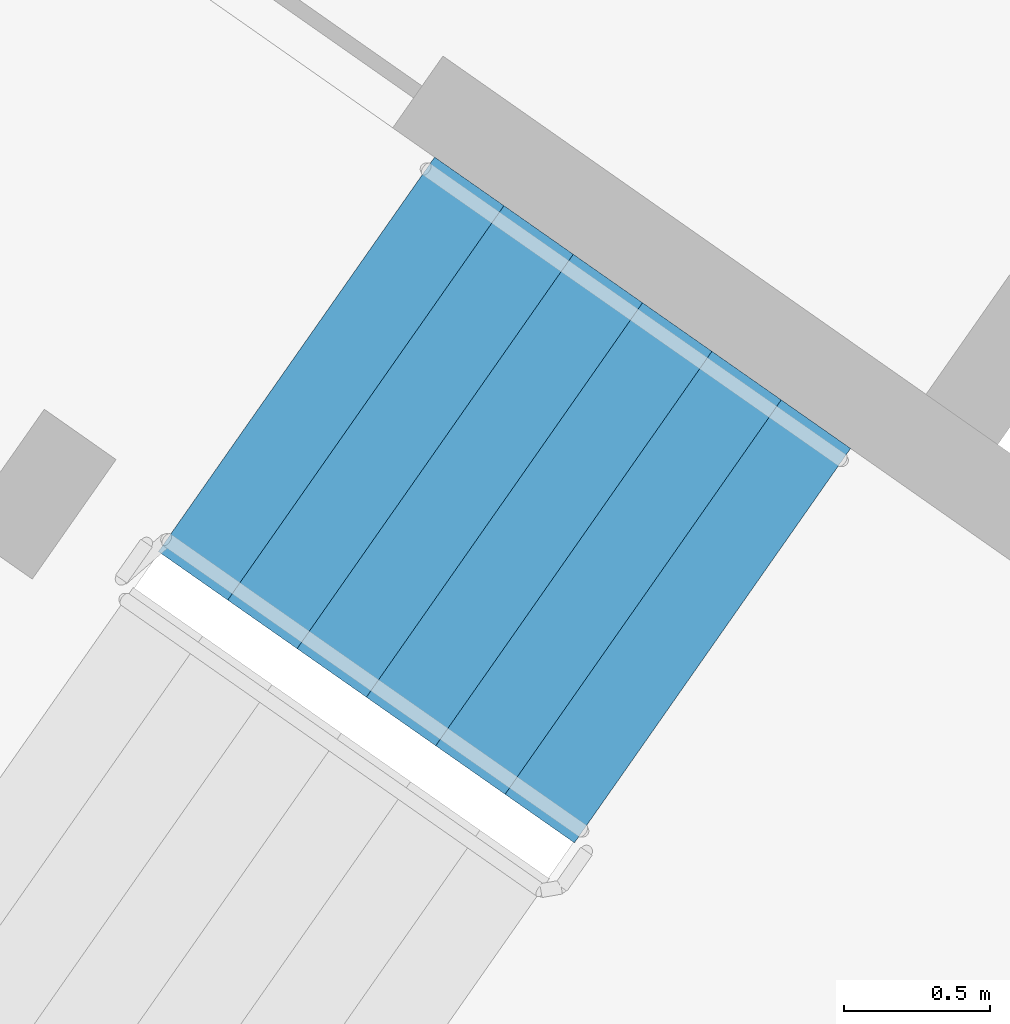
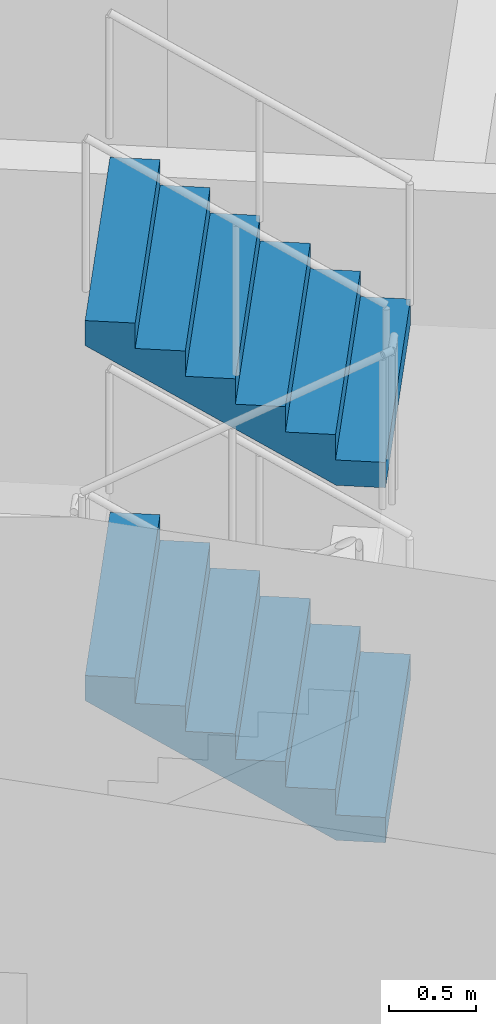
# One storey, part 14 of 25: 2 stair flights, 1 element without a shape of its own.
"""IFC4 building model written with IfcOpenShell, lengths in metres."""

import ifcopenshell
import ifcopenshell.guid

model = None  # the IFC model being written
_history = None  # IfcOwnerHistory: only IFC2X3 demands one
_inside = {}  # id of a spatial element -> (the spatial element, [elements in it])
_under = {}  # id of a project, library or spatial element -> (it, [spatial elements below it])
_declared = {}  # id of a project -> (the project, [libraries it declares])
_typed = {}  # id of a type object -> (the type object, [elements of that type])
_made_of = {}  # id of a material, layer set ... -> (it, [elements and type objects made of it])


def new_model(schema):
    """Start an empty IFC model of exactly this schema.

    Asked for "IFC4X3", IfcOpenShell would pick the latest addendum, in which some entities
    have other attributes; the version numbers below select the first issue.
    IFC2X3 requires an IfcOwnerHistory on every rooted entity: one is made here for all.
    """
    global model, _history
    if schema == "IFC4X3":
        model = ifcopenshell.file(schema_version=(4, 3, 0, 0))
    else:
        model = ifcopenshell.file(schema=schema)
    _inside.clear()
    _under.clear()
    _declared.clear()
    _typed.clear()
    _made_of.clear()
    _history = None
    if model.schema == "IFC2X3":
        org = make("IfcOrganization", Name="unknown")
        user = make(
            "IfcPersonAndOrganization",
            ThePerson=make("IfcPerson", FamilyName="unknown"),
            TheOrganization=org,
        )
        app = make(
            "IfcApplication",
            ApplicationDeveloper=org,
            Version="unknown",
            ApplicationFullName="unknown",
            ApplicationIdentifier="unknown",
        )
        _history = make(
            "IfcOwnerHistory",
            OwningUser=user,
            OwningApplication=app,
            ChangeAction="ADDED",
            CreationDate=0,
        )
    return model


def make(cls, **values):
    """One entity of the class cls with the attributes given. An attribute that is None is left unset."""
    return model.create_entity(
        cls, **{name: value for name, value in values.items() if value is not None}
    )


def rooted(cls, **values):
    """An entity with a GlobalId (a new one), such as an element, a storey or a relation."""
    return make(cls, GlobalId=ifcopenshell.guid.new(), OwnerHistory=_history, **values)


def si_unit(unit_type, name, prefix=None):
    """IfcSIUnit, for example si_unit("LENGTHUNIT", "METRE", prefix="MILLI")."""
    return make("IfcSIUnit", UnitType=unit_type, Prefix=prefix, Name=name)


def assignment(units):
    """IfcUnitAssignment: the units of a project."""
    return None if units is None else make("IfcUnitAssignment", Units=units)


def point(xyz):
    """IfcCartesianPoint."""
    return None if xyz is None else make("IfcCartesianPoint", Coordinates=xyz)


def direction(xyz):
    """IfcDirection."""
    return None if xyz is None else make("IfcDirection", DirectionRatios=xyz)


def frame(location, z_axis=None, x_axis=None):
    """IfcAxis2Placement3D, a coordinate frame: its origin and axes. An axis left out is left unset."""
    return make(
        "IfcAxis2Placement3D",
        Location=point(location),
        Axis=direction(z_axis),
        RefDirection=direction(x_axis),
    )


def origin():
    """The frame at (0, 0, 0) with its axes left unset."""
    return frame((0.0, 0.0, 0.0))


def place(relative_to, where):
    """IfcLocalPlacement: puts the frame where relative to a parent placement (None: the world)."""
    return make(
        "IfcLocalPlacement", PlacementRelTo=relative_to, RelativePlacement=where
    )


def context(
    kind, dimensions, precision=None, world=None, true_north=None, identifier=None
):
    """IfcGeometricRepresentationContext, for example the 3D "Model" context."""
    return make(
        "IfcGeometricRepresentationContext",
        ContextIdentifier=identifier,
        ContextType=kind,
        CoordinateSpaceDimension=dimensions,
        Precision=precision,
        WorldCoordinateSystem=world,
        TrueNorth=true_north,
    )


def subcontext(parent, identifier, kind, view, scale=None):
    """IfcGeometricRepresentationSubContext, for example "Body" below "Model"."""
    return make(
        "IfcGeometricRepresentationSubContext",
        ContextIdentifier=identifier,
        ContextType=kind,
        ParentContext=parent,
        TargetScale=scale,
        TargetView=view,
    )


def project(units=None, contexts=None):
    """IfcProject with its units and contexts."""
    return rooted(
        "IfcProject",
        Name="project",
        RepresentationContexts=contexts,
        UnitsInContext=assignment(units),
    )


def spatial(cls, under=None, at=None, **own):
    """A site, building, storey or space (cls), placed at a placement, below another one or the project."""
    s = rooted(cls, ObjectPlacement=at, **own)
    if under is not None:
        _under.setdefault(under.id(), (under, []))[1].append(s)
    return s


def faces_of(points, faces, orient=None, outer=None):
    """IfcFace entities. A face is a list of loops; a loop is a list of indices into points, from 0.

    orient and outer hold one flag for each loop. By default every Orientation is true, the
    first loop of a face is its IfcFaceOuterBound and the others are IfcFaceBound.
    """
    made = []
    for i, loops in enumerate(faces):
        bounds = []
        for j, loop in enumerate(loops):
            is_outer = j == 0 if outer is None else outer[i][j]
            bounds.append(
                make(
                    "IfcFaceOuterBound" if is_outer else "IfcFaceBound",
                    Bound=make("IfcPolyLoop", Polygon=[points[k] for k in loop]),
                    Orientation=True if orient is None else orient[i][j],
                )
            )
        made.append(make("IfcFace", Bounds=bounds))
    return made


def faceted_brep(points, faces, orient=None, outer=None, voids=None):
    """IfcFacetedBrep: a solid bounded by flat faces; with voids (closed shells), ...WithVoids."""
    shared = [point(p) for p in points]
    hull = make("IfcClosedShell", CfsFaces=faces_of(shared, faces, orient, outer))
    if voids is None:
        return make("IfcFacetedBrep", Outer=hull)
    return make(
        "IfcFacetedBrepWithVoids",
        Outer=hull,
        Voids=[
            make(cls, CfsFaces=faces_of(shared, fs, o, b)) for cls, fs, o, b in voids
        ],
    )


def shape(context_of_items, identifier, shape_type, items):
    """IfcShapeRepresentation: the items that make up one representation, for example the "Body"."""
    return make(
        "IfcShapeRepresentation",
        ContextOfItems=context_of_items,
        RepresentationIdentifier=identifier,
        RepresentationType=shape_type,
        Items=items,
    )


def material(Name=None, Category=None):
    """IfcMaterial."""
    return make("IfcMaterial", Name=Name, Category=Category)


def made_of(thing, what):
    """Note that an element or type object is made of a material, layer set ...; save() writes the relation."""
    if what is not None:
        _made_of.setdefault(what.id(), (what, []))[1].append(thing)
    return thing


def type_object(cls, material=None, **own):
    """A type object (cls), such as IfcWallType, which elements share."""
    return made_of(rooted(cls, **own), material)


def element(
    cls,
    number,
    at=None,
    inside=None,
    cuts=None,
    type_object=None,
    material=None,
    context=None,
    identifier="Body",
    shape_type=None,
    held_by="IfcProductDefinitionShape",
    body=None,
    shapes=None,
    **own,
):
    """One element of the class cls, such as IfcWall. Its Tag is "e" and its number.

    at: its placement. inside: the storey or other place that contains it. cuts: it is an
    opening in that element (IfcRelVoidsElement). A single representation is given by context,
    identifier, shape_type and body (its items); several are given by shapes. held_by: the class
    of the entity that holds the representations. save() writes the other relations.
    """
    e = rooted(cls, Tag="e%d" % number, ObjectPlacement=at, **own)
    if body is not None:
        shapes = [shape(context, identifier, shape_type, body)]
    if shapes is not None:
        e.Representation = make(held_by, Representations=shapes)
    if inside is not None:
        _inside.setdefault(inside.id(), (inside, []))[1].append(e)
    if cuts is not None:
        rooted(
            "IfcRelVoidsElement", RelatingBuildingElement=cuts, RelatedOpeningElement=e
        )
    if type_object is not None:
        _typed.setdefault(type_object.id(), (type_object, []))[1].append(e)
    return made_of(e, material)


def aggregate(whole, parts):
    """IfcRelAggregates: a whole, such as a stair, and the parts it consists of."""
    return rooted("IfcRelAggregates", RelatingObject=whole, RelatedObjects=parts)


def save(model, path):
    """Write the relations noted so far, then the file.

    IfcRelAggregates (storeys below a building ...), IfcRelContainedInSpatialStructure (elements
    in a storey), IfcRelDefinesByType, IfcRelAssociatesMaterial and IfcRelDeclares: one each for
    every whole, place, type object, material and project.
    """
    for whole, parts in _under.values():
        aggregate(whole, parts)
    for where, things in _inside.values():
        rooted(
            "IfcRelContainedInSpatialStructure",
            RelatedElements=things,
            RelatingStructure=where,
        )
    for kind, things in _typed.values():
        rooted("IfcRelDefinesByType", RelatedObjects=things, RelatingType=kind)
    for what, things in _made_of.values():
        rooted("IfcRelAssociatesMaterial", RelatedObjects=things, RelatingMaterial=what)
    for by, libraries in _declared.values():
        rooted("IfcRelDeclares", RelatingContext=by, RelatedDefinitions=libraries)
    model.write(path)


model = new_model("IFC4")

# Units and contexts
model_context = context("Model", 3, precision=1e-05, world=origin(), true_north=direction((0.0, 1.0)))
body_context = subcontext(model_context, "Body", "Model", "MODEL_VIEW")
ifc_project = project(units=[si_unit("LENGTHUNIT", "METRE"), si_unit("AREAUNIT", "SQUARE_METRE"), si_unit("VOLUMEUNIT", "CUBIC_METRE"), si_unit("PLANEANGLEUNIT", "RADIAN"), si_unit("MASSUNIT", "GRAM", prefix="KILO")], contexts=[model_context])

# Site, building, storey
site_placement = place(None, origin())
site = spatial("IfcSite", under=ifc_project, at=site_placement, CompositionType="ELEMENT")
building_placement = place(site_placement, origin())
building = spatial("IfcBuilding", under=site, at=building_placement, Name="Qamariyya Broadcast Tower", CompositionType="ELEMENT")
storey_placement = place(building_placement, frame((0.0, 0.0, 89.89990234375)))
storey = spatial("IfcBuildingStorey", under=building, at=storey_placement, Name="L19", CompositionType="ELEMENT", Elevation=89.89990234375)

# Stair, stair flights
ifc_material = material(Name="Concrete C50/60", Category="concrete")
stair_type = type_object("IfcStairType", Name="Exit stair 28 risers of 179 mm", PredefinedType="HALF_TURN_STAIR", material=ifc_material)
stair_placement = place(storey_placement, origin())
stair = element("IfcStair", 1, at=stair_placement, inside=storey, type_object=stair_type, Name="L19 Stair W1", PredefinedType="HALF_TURN_STAIR")
stair_flight_type = type_object("IfcStairFlightType", Name="Exit stair flight 7 risers of 179 mm", PredefinedType="STRAIGHT", material=ifc_material)
stair_flight_1_placement = place(storey_placement, frame((-44.611083984375, -56.506103515625, 1.25), z_axis=(0.0, 0.0, 1.0), x_axis=(-0.819152044289, 0.573576436351, 0.0)))
stair_flight_1 = element("IfcStairFlight", 2, at=stair_flight_1_placement, type_object=stair_flight_type, Name="ST-W1 flight 2", NumberOfRisers=7, NumberOfTreads=6, PredefinedType="STRAIGHT", RiserHeight=0.178571429, TreadLength=0.29, context=body_context, shape_type="Brep", body=[
    faceted_brep([(0.0, 0.824951171875, 0.0), (0.0, 0.824951171875, 0.178466796875), (0.2900390625, 0.824951171875, 0.178466796875), (0.2900390625, 0.824951171875, 0.357177734375), (0.580078125, 0.824951171875, 0.357177734375), (0.580078125, 0.824951171875, 0.53564453125), (0.8701171875, 0.824951171875, 0.53564453125), (0.8701171875, 0.824951171875, 0.71435546875), (1.159912109375, 0.824951171875, 0.71435546875), (1.159912109375, 0.824951171875, 0.892822265625), (1.449951171875, 0.824951171875, 0.892822265625), (1.449951171875, 0.824951171875, 1.071533203125), (1.739990234375, 0.824951171875, 1.071533203125), (1.739990234375, 0.824951171875, 0.8955078125), (0.285888671875, 0.824951171875, 0.0), (0.285888671875, -0.824951171875, 0.0), (1.739990234375, -0.824951171875, 0.8955078125), (1.739990234375, -0.824951171875, 1.071533203125), (1.449951171875, -0.824951171875, 1.071533203125), (1.449951171875, -0.824951171875, 0.892822265625), (1.159912109375, -0.824951171875, 0.892822265625), (1.159912109375, -0.824951171875, 0.71435546875), (0.8701171875, -0.824951171875, 0.71435546875), (0.8701171875, -0.824951171875, 0.53564453125), (0.580078125, -0.824951171875, 0.53564453125), (0.580078125, -0.824951171875, 0.357177734375), (0.2900390625, -0.824951171875, 0.357177734375), (0.2900390625, -0.824951171875, 0.178466796875), (0.0, -0.824951171875, 0.178466796875), (0.0, -0.824951171875, 0.0), (0.0, 0.10009765625, 0.0), (0.0, 0.086669921875, 0.0), (0.0, 0.0732421875, 0.0), (0.0, 0.06005859375, 0.0), (0.0, 0.046630859375, 0.0), (0.0, 0.033447265625, 0.0), (0.0, 0.02001953125, 0.0), (0.0, 0.006591796875, 0.0), (0.0, -0.006591796875, 0.0), (0.0, -0.02001953125, 0.0), (0.0, -0.033447265625, 0.0), (0.0, -0.046630859375, 0.0), (0.0, -0.06005859375, 0.0), (0.0, -0.0732421875, 0.0), (0.0, -0.086669921875, 0.0), (0.0, -0.10009765625, 0.0), (0.0, -0.10009765625, 0.178466796875), (0.0, -0.086669921875, 0.178466796875), (0.0, -0.0732421875, 0.178466796875), (0.0, -0.06005859375, 0.178466796875), (0.0, -0.046630859375, 0.178466796875), (0.0, -0.033447265625, 0.178466796875), (0.0, -0.02001953125, 0.178466796875), (0.0, -0.006591796875, 0.178466796875), (0.0, 0.006591796875, 0.178466796875), (0.0, 0.02001953125, 0.178466796875), (0.0, 0.033447265625, 0.178466796875), (0.0, 0.046630859375, 0.178466796875), (0.0, 0.06005859375, 0.178466796875), (0.0, 0.0732421875, 0.178466796875), (0.0, 0.086669921875, 0.178466796875), (0.0, 0.10009765625, 0.178466796875), (0.2900390625, -0.10009765625, 0.178466796875), (0.2900390625, -0.086669921875, 0.178466796875), (0.2900390625, -0.0732421875, 0.178466796875), (0.2900390625, -0.06005859375, 0.178466796875), (0.2900390625, -0.046630859375, 0.178466796875), (0.2900390625, -0.033447265625, 0.178466796875), (0.2900390625, -0.02001953125, 0.178466796875), (0.2900390625, -0.006591796875, 0.178466796875), (0.2900390625, 0.006591796875, 0.178466796875), (0.2900390625, 0.02001953125, 0.178466796875), (0.2900390625, 0.033447265625, 0.178466796875), (0.2900390625, 0.046630859375, 0.178466796875), (0.2900390625, 0.06005859375, 0.178466796875), (0.2900390625, 0.0732421875, 0.178466796875), (0.2900390625, 0.086669921875, 0.178466796875), (0.2900390625, 0.10009765625, 0.178466796875), (0.2900390625, -0.10009765625, 0.357177734375), (0.2900390625, -0.086669921875, 0.357177734375), (0.2900390625, -0.0732421875, 0.357177734375), (0.2900390625, -0.06005859375, 0.357177734375), (0.2900390625, -0.046630859375, 0.357177734375), (0.2900390625, -0.033447265625, 0.357177734375), (0.2900390625, -0.02001953125, 0.357177734375), (0.2900390625, -0.006591796875, 0.357177734375), (0.2900390625, 0.006591796875, 0.357177734375), (0.2900390625, 0.02001953125, 0.357177734375), (0.2900390625, 0.033447265625, 0.357177734375), (0.2900390625, 0.046630859375, 0.357177734375), (0.2900390625, 0.06005859375, 0.357177734375), (0.2900390625, 0.0732421875, 0.357177734375), (0.2900390625, 0.086669921875, 0.357177734375), (0.2900390625, 0.10009765625, 0.357177734375), (0.580078125, -0.10009765625, 0.357177734375), (0.580078125, -0.086669921875, 0.357177734375), (0.580078125, -0.0732421875, 0.357177734375), (0.580078125, -0.06005859375, 0.357177734375), (0.580078125, -0.046630859375, 0.357177734375), (0.580078125, -0.033447265625, 0.357177734375), (0.580078125, -0.02001953125, 0.357177734375), (0.580078125, -0.006591796875, 0.357177734375), (0.580078125, 0.006591796875, 0.357177734375), (0.580078125, 0.02001953125, 0.357177734375), (0.580078125, 0.033447265625, 0.357177734375), (0.580078125, 0.046630859375, 0.357177734375), (0.580078125, 0.06005859375, 0.357177734375), (0.580078125, 0.0732421875, 0.357177734375), (0.580078125, 0.086669921875, 0.357177734375), (0.580078125, 0.10009765625, 0.357177734375), (0.580078125, -0.10009765625, 0.53564453125), (0.580078125, -0.086669921875, 0.53564453125), (0.580078125, -0.0732421875, 0.53564453125), (0.580078125, -0.06005859375, 0.53564453125), (0.580078125, -0.046630859375, 0.53564453125), (0.580078125, -0.033447265625, 0.53564453125), (0.580078125, -0.02001953125, 0.53564453125), (0.580078125, -0.006591796875, 0.53564453125), (0.580078125, 0.006591796875, 0.53564453125), (0.580078125, 0.02001953125, 0.53564453125), (0.580078125, 0.033447265625, 0.53564453125), (0.580078125, 0.046630859375, 0.53564453125), (0.580078125, 0.06005859375, 0.53564453125), (0.580078125, 0.0732421875, 0.53564453125), (0.580078125, 0.086669921875, 0.53564453125), (0.580078125, 0.10009765625, 0.53564453125), (0.8701171875, -0.10009765625, 0.53564453125), (0.8701171875, -0.086669921875, 0.53564453125), (0.8701171875, -0.0732421875, 0.53564453125), (0.8701171875, -0.06005859375, 0.53564453125), (0.8701171875, -0.046630859375, 0.53564453125), (0.8701171875, -0.033447265625, 0.53564453125), (0.8701171875, -0.02001953125, 0.53564453125), (0.8701171875, -0.006591796875, 0.53564453125), (0.8701171875, 0.006591796875, 0.53564453125), (0.8701171875, 0.02001953125, 0.53564453125), (0.8701171875, 0.033447265625, 0.53564453125), (0.8701171875, 0.046630859375, 0.53564453125), (0.8701171875, 0.06005859375, 0.53564453125), (0.8701171875, 0.0732421875, 0.53564453125), (0.8701171875, 0.086669921875, 0.53564453125), (0.8701171875, 0.10009765625, 0.53564453125), (0.8701171875, -0.10009765625, 0.71435546875), (0.8701171875, -0.086669921875, 0.71435546875), (0.8701171875, -0.0732421875, 0.71435546875), (0.8701171875, -0.06005859375, 0.71435546875), (0.8701171875, -0.046630859375, 0.71435546875), (0.8701171875, -0.033447265625, 0.71435546875), (0.8701171875, -0.02001953125, 0.71435546875), (0.8701171875, -0.006591796875, 0.71435546875), (0.8701171875, 0.006591796875, 0.71435546875), (0.8701171875, 0.02001953125, 0.71435546875), (0.8701171875, 0.033447265625, 0.71435546875), (0.8701171875, 0.046630859375, 0.71435546875), (0.8701171875, 0.06005859375, 0.71435546875), (0.8701171875, 0.0732421875, 0.71435546875), (0.8701171875, 0.086669921875, 0.71435546875), (0.8701171875, 0.10009765625, 0.71435546875), (1.159912109375, -0.10009765625, 0.71435546875), (1.159912109375, -0.086669921875, 0.71435546875), (1.159912109375, -0.0732421875, 0.71435546875), (1.159912109375, -0.06005859375, 0.71435546875), (1.159912109375, -0.046630859375, 0.71435546875), (1.159912109375, -0.033447265625, 0.71435546875), (1.159912109375, -0.02001953125, 0.71435546875), (1.159912109375, -0.006591796875, 0.71435546875), (1.159912109375, 0.006591796875, 0.71435546875), (1.159912109375, 0.02001953125, 0.71435546875), (1.159912109375, 0.033447265625, 0.71435546875), (1.159912109375, 0.046630859375, 0.71435546875), (1.159912109375, 0.06005859375, 0.71435546875), (1.159912109375, 0.0732421875, 0.71435546875), (1.159912109375, 0.086669921875, 0.71435546875), (1.159912109375, 0.10009765625, 0.71435546875), (1.159912109375, -0.10009765625, 0.892822265625), (1.159912109375, -0.086669921875, 0.892822265625), (1.159912109375, -0.0732421875, 0.892822265625), (1.159912109375, -0.06005859375, 0.892822265625), (1.159912109375, -0.046630859375, 0.892822265625), (1.159912109375, -0.033447265625, 0.892822265625), (1.159912109375, -0.02001953125, 0.892822265625), (1.159912109375, -0.006591796875, 0.892822265625), (1.159912109375, 0.006591796875, 0.892822265625), (1.159912109375, 0.02001953125, 0.892822265625), (1.159912109375, 0.033447265625, 0.892822265625), (1.159912109375, 0.046630859375, 0.892822265625), (1.159912109375, 0.06005859375, 0.892822265625), (1.159912109375, 0.0732421875, 0.892822265625), (1.159912109375, 0.086669921875, 0.892822265625), (1.159912109375, 0.10009765625, 0.892822265625), (1.449951171875, -0.10009765625, 0.892822265625), (1.449951171875, -0.086669921875, 0.892822265625), (1.449951171875, -0.0732421875, 0.892822265625), (1.449951171875, -0.06005859375, 0.892822265625), (1.449951171875, -0.046630859375, 0.892822265625), (1.449951171875, -0.033447265625, 0.892822265625), (1.449951171875, -0.02001953125, 0.892822265625), (1.449951171875, -0.006591796875, 0.892822265625), (1.449951171875, 0.006591796875, 0.892822265625), (1.449951171875, 0.02001953125, 0.892822265625), (1.449951171875, 0.033447265625, 0.892822265625), (1.449951171875, 0.046630859375, 0.892822265625), (1.449951171875, 0.06005859375, 0.892822265625), (1.449951171875, 0.0732421875, 0.892822265625), (1.449951171875, 0.086669921875, 0.892822265625), (1.449951171875, 0.10009765625, 0.892822265625), (1.449951171875, -0.10009765625, 1.071533203125), (1.449951171875, -0.086669921875, 1.071533203125), (1.449951171875, -0.0732421875, 1.071533203125), (1.449951171875, -0.06005859375, 1.071533203125), (1.449951171875, -0.046630859375, 1.071533203125), (1.449951171875, -0.033447265625, 1.071533203125), (1.449951171875, -0.02001953125, 1.071533203125), (1.449951171875, -0.006591796875, 1.071533203125), (1.449951171875, 0.006591796875, 1.071533203125), (1.449951171875, 0.02001953125, 1.071533203125), (1.449951171875, 0.033447265625, 1.071533203125), (1.449951171875, 0.046630859375, 1.071533203125), (1.449951171875, 0.06005859375, 1.071533203125), (1.449951171875, 0.0732421875, 1.071533203125), (1.449951171875, 0.086669921875, 1.071533203125), (1.449951171875, 0.10009765625, 1.071533203125), (1.739990234375, -0.10009765625, 1.071533203125), (1.739990234375, -0.086669921875, 1.071533203125), (1.739990234375, -0.0732421875, 1.071533203125), (1.739990234375, -0.06005859375, 1.071533203125), (1.739990234375, -0.046630859375, 1.071533203125), (1.739990234375, -0.033447265625, 1.071533203125), (1.739990234375, -0.02001953125, 1.071533203125), (1.739990234375, -0.006591796875, 1.071533203125), (1.739990234375, 0.006591796875, 1.071533203125), (1.739990234375, 0.02001953125, 1.071533203125), (1.739990234375, 0.033447265625, 1.071533203125), (1.739990234375, 0.046630859375, 1.071533203125), (1.739990234375, 0.06005859375, 1.071533203125), (1.739990234375, 0.0732421875, 1.071533203125), (1.739990234375, 0.086669921875, 1.071533203125), (1.739990234375, 0.10009765625, 1.071533203125), (1.739990234375, -0.10009765625, 0.8955078125), (1.739990234375, -0.086669921875, 0.8955078125), (1.739990234375, -0.0732421875, 0.8955078125), (1.739990234375, -0.06005859375, 0.8955078125), (1.739990234375, -0.046630859375, 0.8955078125), (1.739990234375, -0.033447265625, 0.8955078125), (1.739990234375, -0.02001953125, 0.8955078125), (1.739990234375, -0.006591796875, 0.8955078125), (1.739990234375, 0.006591796875, 0.8955078125), (1.739990234375, 0.02001953125, 0.8955078125), (1.739990234375, 0.033447265625, 0.8955078125), (1.739990234375, 0.046630859375, 0.8955078125), (1.739990234375, 0.06005859375, 0.8955078125), (1.739990234375, 0.0732421875, 0.8955078125), (1.739990234375, 0.086669921875, 0.8955078125), (1.739990234375, 0.10009765625, 0.8955078125), (0.285888671875, -0.10009765625, 0.0), (0.285888671875, -0.086669921875, 0.0), (0.285888671875, -0.0732421875, 0.0), (0.285888671875, -0.06005859375, 0.0), (0.285888671875, -0.046630859375, 0.0), (0.285888671875, -0.033447265625, 0.0), (0.285888671875, -0.02001953125, 0.0), (0.285888671875, -0.006591796875, 0.0), (0.285888671875, 0.006591796875, 0.0), (0.285888671875, 0.02001953125, 0.0), (0.285888671875, 0.033447265625, 0.0), (0.285888671875, 0.046630859375, 0.0), (0.285888671875, 0.06005859375, 0.0), (0.285888671875, 0.0732421875, 0.0), (0.285888671875, 0.086669921875, 0.0), (0.285888671875, 0.10009765625, 0.0)], [[[0, 1, 2, 3, 4, 5, 6, 7, 8, 9, 10, 11, 12, 13, 14]], [[15, 16, 17, 18, 19, 20, 21, 22, 23, 24, 25, 26, 27, 28, 29]], [[0, 30, 31, 32, 33, 34, 35, 36, 37, 38, 39, 40, 41, 42, 43, 44, 45, 29, 28, 46, 47, 48, 49, 50, 51, 52, 53, 54, 55, 56, 57, 58, 59, 60, 61, 1]], [[1, 61, 60, 59, 58, 57, 56, 55, 54, 53, 52, 51, 50, 49, 48, 47, 46, 28, 27, 62, 63, 64, 65, 66, 67, 68, 69, 70, 71, 72, 73, 74, 75, 76, 77, 2]], [[2, 77, 76, 75, 74, 73, 72, 71, 70, 69, 68, 67, 66, 65, 64, 63, 62, 27, 26, 78, 79, 80, 81, 82, 83, 84, 85, 86, 87, 88, 89, 90, 91, 92, 93, 3]], [[3, 93, 92, 91, 90, 89, 88, 87, 86, 85, 84, 83, 82, 81, 80, 79, 78, 26, 25, 94, 95, 96, 97, 98, 99, 100, 101, 102, 103, 104, 105, 106, 107, 108, 109, 4]], [[4, 109, 108, 107, 106, 105, 104, 103, 102, 101, 100, 99, 98, 97, 96, 95, 94, 25, 24, 110, 111, 112, 113, 114, 115, 116, 117, 118, 119, 120, 121, 122, 123, 124, 125, 5]], [[5, 125, 124, 123, 122, 121, 120, 119, 118, 117, 116, 115, 114, 113, 112, 111, 110, 24, 23, 126, 127, 128, 129, 130, 131, 132, 133, 134, 135, 136, 137, 138, 139, 140, 141, 6]], [[6, 141, 140, 139, 138, 137, 136, 135, 134, 133, 132, 131, 130, 129, 128, 127, 126, 23, 22, 142, 143, 144, 145, 146, 147, 148, 149, 150, 151, 152, 153, 154, 155, 156, 157, 7]], [[7, 157, 156, 155, 154, 153, 152, 151, 150, 149, 148, 147, 146, 145, 144, 143, 142, 22, 21, 158, 159, 160, 161, 162, 163, 164, 165, 166, 167, 168, 169, 170, 171, 172, 173, 8]], [[8, 173, 172, 171, 170, 169, 168, 167, 166, 165, 164, 163, 162, 161, 160, 159, 158, 21, 20, 174, 175, 176, 177, 178, 179, 180, 181, 182, 183, 184, 185, 186, 187, 188, 189, 9]], [[9, 189, 188, 187, 186, 185, 184, 183, 182, 181, 180, 179, 178, 177, 176, 175, 174, 20, 19, 190, 191, 192, 193, 194, 195, 196, 197, 198, 199, 200, 201, 202, 203, 204, 205, 10]], [[10, 205, 204, 203, 202, 201, 200, 199, 198, 197, 196, 195, 194, 193, 192, 191, 190, 19, 18, 206, 207, 208, 209, 210, 211, 212, 213, 214, 215, 216, 217, 218, 219, 220, 221, 11]], [[11, 221, 220, 219, 218, 217, 216, 215, 214, 213, 212, 211, 210, 209, 208, 207, 206, 18, 17, 222, 223, 224, 225, 226, 227, 228, 229, 230, 231, 232, 233, 234, 235, 236, 237, 12]], [[12, 237, 236, 235, 234, 233, 232, 231, 230, 229, 228, 227, 226, 225, 224, 223, 222, 17, 16, 238, 239, 240, 241, 242, 243, 244, 245, 246, 247, 248, 249, 250, 251, 252, 253, 13]], [[13, 253, 252, 251, 250, 249, 248, 247, 246, 245, 244, 243, 242, 241, 240, 239, 238, 16, 15, 254, 255, 256, 257, 258, 259, 260, 261, 262, 263, 264, 265, 266, 267, 268, 269, 14]], [[14, 269, 268, 267, 266, 265, 264, 263, 262, 261, 260, 259, 258, 257, 256, 255, 254, 15, 29, 45, 44, 43, 42, 41, 40, 39, 38, 37, 36, 35, 34, 33, 32, 31, 30, 0]]]),
])
stair_flight_2_placement = place(storey_placement, frame((-44.611083984375, -56.506103515625, 3.75), z_axis=(0.0, 0.0, 1.0), x_axis=(-0.819152044289, 0.573576436351, 0.0)))
stair_flight_2 = element("IfcStairFlight", 3, at=stair_flight_2_placement, type_object=stair_flight_type, Name="ST-W1 flight 4", NumberOfRisers=7, NumberOfTreads=6, PredefinedType="STRAIGHT", RiserHeight=0.178571429, TreadLength=0.29, context=body_context, shape_type="Brep", body=[
    faceted_brep([(0.0, 0.824951171875, 0.0), (0.0, 0.824951171875, 0.178466796875), (0.2900390625, 0.824951171875, 0.178466796875), (0.2900390625, 0.824951171875, 0.357177734375), (0.580078125, 0.824951171875, 0.357177734375), (0.580078125, 0.824951171875, 0.53564453125), (0.8701171875, 0.824951171875, 0.53564453125), (0.8701171875, 0.824951171875, 0.71435546875), (1.159912109375, 0.824951171875, 0.71435546875), (1.159912109375, 0.824951171875, 0.892822265625), (1.449951171875, 0.824951171875, 0.892822265625), (1.449951171875, 0.824951171875, 1.071533203125), (1.739990234375, 0.824951171875, 1.071533203125), (1.739990234375, 0.824951171875, 0.8955078125), (0.285888671875, 0.824951171875, 0.0), (0.285888671875, -0.824951171875, 0.0), (1.739990234375, -0.824951171875, 0.8955078125), (1.739990234375, -0.824951171875, 1.071533203125), (1.449951171875, -0.824951171875, 1.071533203125), (1.449951171875, -0.824951171875, 0.892822265625), (1.159912109375, -0.824951171875, 0.892822265625), (1.159912109375, -0.824951171875, 0.71435546875), (0.8701171875, -0.824951171875, 0.71435546875), (0.8701171875, -0.824951171875, 0.53564453125), (0.580078125, -0.824951171875, 0.53564453125), (0.580078125, -0.824951171875, 0.357177734375), (0.2900390625, -0.824951171875, 0.357177734375), (0.2900390625, -0.824951171875, 0.178466796875), (0.0, -0.824951171875, 0.178466796875), (0.0, -0.824951171875, 0.0), (0.0, 0.10009765625, 0.0), (0.0, 0.086669921875, 0.0), (0.0, 0.0732421875, 0.0), (0.0, 0.06005859375, 0.0), (0.0, 0.046630859375, 0.0), (0.0, 0.033447265625, 0.0), (0.0, 0.02001953125, 0.0), (0.0, 0.006591796875, 0.0), (0.0, -0.006591796875, 0.0), (0.0, -0.02001953125, 0.0), (0.0, -0.033447265625, 0.0), (0.0, -0.046630859375, 0.0), (0.0, -0.06005859375, 0.0), (0.0, -0.0732421875, 0.0), (0.0, -0.086669921875, 0.0), (0.0, -0.10009765625, 0.0), (0.0, -0.10009765625, 0.178466796875), (0.0, -0.086669921875, 0.178466796875), (0.0, -0.0732421875, 0.178466796875), (0.0, -0.06005859375, 0.178466796875), (0.0, -0.046630859375, 0.178466796875), (0.0, -0.033447265625, 0.178466796875), (0.0, -0.02001953125, 0.178466796875), (0.0, -0.006591796875, 0.178466796875), (0.0, 0.006591796875, 0.178466796875), (0.0, 0.02001953125, 0.178466796875), (0.0, 0.033447265625, 0.178466796875), (0.0, 0.046630859375, 0.178466796875), (0.0, 0.06005859375, 0.178466796875), (0.0, 0.0732421875, 0.178466796875), (0.0, 0.086669921875, 0.178466796875), (0.0, 0.10009765625, 0.178466796875), (0.2900390625, -0.10009765625, 0.178466796875), (0.2900390625, -0.086669921875, 0.178466796875), (0.2900390625, -0.0732421875, 0.178466796875), (0.2900390625, -0.06005859375, 0.178466796875), (0.2900390625, -0.046630859375, 0.178466796875), (0.2900390625, -0.033447265625, 0.178466796875), (0.2900390625, -0.02001953125, 0.178466796875), (0.2900390625, -0.006591796875, 0.178466796875), (0.2900390625, 0.006591796875, 0.178466796875), (0.2900390625, 0.02001953125, 0.178466796875), (0.2900390625, 0.033447265625, 0.178466796875), (0.2900390625, 0.046630859375, 0.178466796875), (0.2900390625, 0.06005859375, 0.178466796875), (0.2900390625, 0.0732421875, 0.178466796875), (0.2900390625, 0.086669921875, 0.178466796875), (0.2900390625, 0.10009765625, 0.178466796875), (0.2900390625, -0.10009765625, 0.357177734375), (0.2900390625, -0.086669921875, 0.357177734375), (0.2900390625, -0.0732421875, 0.357177734375), (0.2900390625, -0.06005859375, 0.357177734375), (0.2900390625, -0.046630859375, 0.357177734375), (0.2900390625, -0.033447265625, 0.357177734375), (0.2900390625, -0.02001953125, 0.357177734375), (0.2900390625, -0.006591796875, 0.357177734375), (0.2900390625, 0.006591796875, 0.357177734375), (0.2900390625, 0.02001953125, 0.357177734375), (0.2900390625, 0.033447265625, 0.357177734375), (0.2900390625, 0.046630859375, 0.357177734375), (0.2900390625, 0.06005859375, 0.357177734375), (0.2900390625, 0.0732421875, 0.357177734375), (0.2900390625, 0.086669921875, 0.357177734375), (0.2900390625, 0.10009765625, 0.357177734375), (0.580078125, -0.10009765625, 0.357177734375), (0.580078125, -0.086669921875, 0.357177734375), (0.580078125, -0.0732421875, 0.357177734375), (0.580078125, -0.06005859375, 0.357177734375), (0.580078125, -0.046630859375, 0.357177734375), (0.580078125, -0.033447265625, 0.357177734375), (0.580078125, -0.02001953125, 0.357177734375), (0.580078125, -0.006591796875, 0.357177734375), (0.580078125, 0.006591796875, 0.357177734375), (0.580078125, 0.02001953125, 0.357177734375), (0.580078125, 0.033447265625, 0.357177734375), (0.580078125, 0.046630859375, 0.357177734375), (0.580078125, 0.06005859375, 0.357177734375), (0.580078125, 0.0732421875, 0.357177734375), (0.580078125, 0.086669921875, 0.357177734375), (0.580078125, 0.10009765625, 0.357177734375), (0.580078125, -0.10009765625, 0.53564453125), (0.580078125, -0.086669921875, 0.53564453125), (0.580078125, -0.0732421875, 0.53564453125), (0.580078125, -0.06005859375, 0.53564453125), (0.580078125, -0.046630859375, 0.53564453125), (0.580078125, -0.033447265625, 0.53564453125), (0.580078125, -0.02001953125, 0.53564453125), (0.580078125, -0.006591796875, 0.53564453125), (0.580078125, 0.006591796875, 0.53564453125), (0.580078125, 0.02001953125, 0.53564453125), (0.580078125, 0.033447265625, 0.53564453125), (0.580078125, 0.046630859375, 0.53564453125), (0.580078125, 0.06005859375, 0.53564453125), (0.580078125, 0.0732421875, 0.53564453125), (0.580078125, 0.086669921875, 0.53564453125), (0.580078125, 0.10009765625, 0.53564453125), (0.8701171875, -0.10009765625, 0.53564453125), (0.8701171875, -0.086669921875, 0.53564453125), (0.8701171875, -0.0732421875, 0.53564453125), (0.8701171875, -0.06005859375, 0.53564453125), (0.8701171875, -0.046630859375, 0.53564453125), (0.8701171875, -0.033447265625, 0.53564453125), (0.8701171875, -0.02001953125, 0.53564453125), (0.8701171875, -0.006591796875, 0.53564453125), (0.8701171875, 0.006591796875, 0.53564453125), (0.8701171875, 0.02001953125, 0.53564453125), (0.8701171875, 0.033447265625, 0.53564453125), (0.8701171875, 0.046630859375, 0.53564453125), (0.8701171875, 0.06005859375, 0.53564453125), (0.8701171875, 0.0732421875, 0.53564453125), (0.8701171875, 0.086669921875, 0.53564453125), (0.8701171875, 0.10009765625, 0.53564453125), (0.8701171875, -0.10009765625, 0.71435546875), (0.8701171875, -0.086669921875, 0.71435546875), (0.8701171875, -0.0732421875, 0.71435546875), (0.8701171875, -0.06005859375, 0.71435546875), (0.8701171875, -0.046630859375, 0.71435546875), (0.8701171875, -0.033447265625, 0.71435546875), (0.8701171875, -0.02001953125, 0.71435546875), (0.8701171875, -0.006591796875, 0.71435546875), (0.8701171875, 0.006591796875, 0.71435546875), (0.8701171875, 0.02001953125, 0.71435546875), (0.8701171875, 0.033447265625, 0.71435546875), (0.8701171875, 0.046630859375, 0.71435546875), (0.8701171875, 0.06005859375, 0.71435546875), (0.8701171875, 0.0732421875, 0.71435546875), (0.8701171875, 0.086669921875, 0.71435546875), (0.8701171875, 0.10009765625, 0.71435546875), (1.159912109375, -0.10009765625, 0.71435546875), (1.159912109375, -0.086669921875, 0.71435546875), (1.159912109375, -0.0732421875, 0.71435546875), (1.159912109375, -0.06005859375, 0.71435546875), (1.159912109375, -0.046630859375, 0.71435546875), (1.159912109375, -0.033447265625, 0.71435546875), (1.159912109375, -0.02001953125, 0.71435546875), (1.159912109375, -0.006591796875, 0.71435546875), (1.159912109375, 0.006591796875, 0.71435546875), (1.159912109375, 0.02001953125, 0.71435546875), (1.159912109375, 0.033447265625, 0.71435546875), (1.159912109375, 0.046630859375, 0.71435546875), (1.159912109375, 0.06005859375, 0.71435546875), (1.159912109375, 0.0732421875, 0.71435546875), (1.159912109375, 0.086669921875, 0.71435546875), (1.159912109375, 0.10009765625, 0.71435546875), (1.159912109375, -0.10009765625, 0.892822265625), (1.159912109375, -0.086669921875, 0.892822265625), (1.159912109375, -0.0732421875, 0.892822265625), (1.159912109375, -0.06005859375, 0.892822265625), (1.159912109375, -0.046630859375, 0.892822265625), (1.159912109375, -0.033447265625, 0.892822265625), (1.159912109375, -0.02001953125, 0.892822265625), (1.159912109375, -0.006591796875, 0.892822265625), (1.159912109375, 0.006591796875, 0.892822265625), (1.159912109375, 0.02001953125, 0.892822265625), (1.159912109375, 0.033447265625, 0.892822265625), (1.159912109375, 0.046630859375, 0.892822265625), (1.159912109375, 0.06005859375, 0.892822265625), (1.159912109375, 0.0732421875, 0.892822265625), (1.159912109375, 0.086669921875, 0.892822265625), (1.159912109375, 0.10009765625, 0.892822265625), (1.449951171875, -0.10009765625, 0.892822265625), (1.449951171875, -0.086669921875, 0.892822265625), (1.449951171875, -0.0732421875, 0.892822265625), (1.449951171875, -0.06005859375, 0.892822265625), (1.449951171875, -0.046630859375, 0.892822265625), (1.449951171875, -0.033447265625, 0.892822265625), (1.449951171875, -0.02001953125, 0.892822265625), (1.449951171875, -0.006591796875, 0.892822265625), (1.449951171875, 0.006591796875, 0.892822265625), (1.449951171875, 0.02001953125, 0.892822265625), (1.449951171875, 0.033447265625, 0.892822265625), (1.449951171875, 0.046630859375, 0.892822265625), (1.449951171875, 0.06005859375, 0.892822265625), (1.449951171875, 0.0732421875, 0.892822265625), (1.449951171875, 0.086669921875, 0.892822265625), (1.449951171875, 0.10009765625, 0.892822265625), (1.449951171875, -0.10009765625, 1.071533203125), (1.449951171875, -0.086669921875, 1.071533203125), (1.449951171875, -0.0732421875, 1.071533203125), (1.449951171875, -0.06005859375, 1.071533203125), (1.449951171875, -0.046630859375, 1.071533203125), (1.449951171875, -0.033447265625, 1.071533203125), (1.449951171875, -0.02001953125, 1.071533203125), (1.449951171875, -0.006591796875, 1.071533203125), (1.449951171875, 0.006591796875, 1.071533203125), (1.449951171875, 0.02001953125, 1.071533203125), (1.449951171875, 0.033447265625, 1.071533203125), (1.449951171875, 0.046630859375, 1.071533203125), (1.449951171875, 0.06005859375, 1.071533203125), (1.449951171875, 0.0732421875, 1.071533203125), (1.449951171875, 0.086669921875, 1.071533203125), (1.449951171875, 0.10009765625, 1.071533203125), (1.739990234375, -0.10009765625, 1.071533203125), (1.739990234375, -0.086669921875, 1.071533203125), (1.739990234375, -0.0732421875, 1.071533203125), (1.739990234375, -0.06005859375, 1.071533203125), (1.739990234375, -0.046630859375, 1.071533203125), (1.739990234375, -0.033447265625, 1.071533203125), (1.739990234375, -0.02001953125, 1.071533203125), (1.739990234375, -0.006591796875, 1.071533203125), (1.739990234375, 0.006591796875, 1.071533203125), (1.739990234375, 0.02001953125, 1.071533203125), (1.739990234375, 0.033447265625, 1.071533203125), (1.739990234375, 0.046630859375, 1.071533203125), (1.739990234375, 0.06005859375, 1.071533203125), (1.739990234375, 0.0732421875, 1.071533203125), (1.739990234375, 0.086669921875, 1.071533203125), (1.739990234375, 0.10009765625, 1.071533203125), (1.739990234375, -0.10009765625, 0.8955078125), (1.739990234375, -0.086669921875, 0.8955078125), (1.739990234375, -0.0732421875, 0.8955078125), (1.739990234375, -0.06005859375, 0.8955078125), (1.739990234375, -0.046630859375, 0.8955078125), (1.739990234375, -0.033447265625, 0.8955078125), (1.739990234375, -0.02001953125, 0.8955078125), (1.739990234375, -0.006591796875, 0.8955078125), (1.739990234375, 0.006591796875, 0.8955078125), (1.739990234375, 0.02001953125, 0.8955078125), (1.739990234375, 0.033447265625, 0.8955078125), (1.739990234375, 0.046630859375, 0.8955078125), (1.739990234375, 0.06005859375, 0.8955078125), (1.739990234375, 0.0732421875, 0.8955078125), (1.739990234375, 0.086669921875, 0.8955078125), (1.739990234375, 0.10009765625, 0.8955078125), (0.285888671875, -0.10009765625, 0.0), (0.285888671875, -0.086669921875, 0.0), (0.285888671875, -0.0732421875, 0.0), (0.285888671875, -0.06005859375, 0.0), (0.285888671875, -0.046630859375, 0.0), (0.285888671875, -0.033447265625, 0.0), (0.285888671875, -0.02001953125, 0.0), (0.285888671875, -0.006591796875, 0.0), (0.285888671875, 0.006591796875, 0.0), (0.285888671875, 0.02001953125, 0.0), (0.285888671875, 0.033447265625, 0.0), (0.285888671875, 0.046630859375, 0.0), (0.285888671875, 0.06005859375, 0.0), (0.285888671875, 0.0732421875, 0.0), (0.285888671875, 0.086669921875, 0.0), (0.285888671875, 0.10009765625, 0.0)], [[[0, 1, 2, 3, 4, 5, 6, 7, 8, 9, 10, 11, 12, 13, 14]], [[15, 16, 17, 18, 19, 20, 21, 22, 23, 24, 25, 26, 27, 28, 29]], [[0, 30, 31, 32, 33, 34, 35, 36, 37, 38, 39, 40, 41, 42, 43, 44, 45, 29, 28, 46, 47, 48, 49, 50, 51, 52, 53, 54, 55, 56, 57, 58, 59, 60, 61, 1]], [[1, 61, 60, 59, 58, 57, 56, 55, 54, 53, 52, 51, 50, 49, 48, 47, 46, 28, 27, 62, 63, 64, 65, 66, 67, 68, 69, 70, 71, 72, 73, 74, 75, 76, 77, 2]], [[2, 77, 76, 75, 74, 73, 72, 71, 70, 69, 68, 67, 66, 65, 64, 63, 62, 27, 26, 78, 79, 80, 81, 82, 83, 84, 85, 86, 87, 88, 89, 90, 91, 92, 93, 3]], [[3, 93, 92, 91, 90, 89, 88, 87, 86, 85, 84, 83, 82, 81, 80, 79, 78, 26, 25, 94, 95, 96, 97, 98, 99, 100, 101, 102, 103, 104, 105, 106, 107, 108, 109, 4]], [[4, 109, 108, 107, 106, 105, 104, 103, 102, 101, 100, 99, 98, 97, 96, 95, 94, 25, 24, 110, 111, 112, 113, 114, 115, 116, 117, 118, 119, 120, 121, 122, 123, 124, 125, 5]], [[5, 125, 124, 123, 122, 121, 120, 119, 118, 117, 116, 115, 114, 113, 112, 111, 110, 24, 23, 126, 127, 128, 129, 130, 131, 132, 133, 134, 135, 136, 137, 138, 139, 140, 141, 6]], [[6, 141, 140, 139, 138, 137, 136, 135, 134, 133, 132, 131, 130, 129, 128, 127, 126, 23, 22, 142, 143, 144, 145, 146, 147, 148, 149, 150, 151, 152, 153, 154, 155, 156, 157, 7]], [[7, 157, 156, 155, 154, 153, 152, 151, 150, 149, 148, 147, 146, 145, 144, 143, 142, 22, 21, 158, 159, 160, 161, 162, 163, 164, 165, 166, 167, 168, 169, 170, 171, 172, 173, 8]], [[8, 173, 172, 171, 170, 169, 168, 167, 166, 165, 164, 163, 162, 161, 160, 159, 158, 21, 20, 174, 175, 176, 177, 178, 179, 180, 181, 182, 183, 184, 185, 186, 187, 188, 189, 9]], [[9, 189, 188, 187, 186, 185, 184, 183, 182, 181, 180, 179, 178, 177, 176, 175, 174, 20, 19, 190, 191, 192, 193, 194, 195, 196, 197, 198, 199, 200, 201, 202, 203, 204, 205, 10]], [[10, 205, 204, 203, 202, 201, 200, 199, 198, 197, 196, 195, 194, 193, 192, 191, 190, 19, 18, 206, 207, 208, 209, 210, 211, 212, 213, 214, 215, 216, 217, 218, 219, 220, 221, 11]], [[11, 221, 220, 219, 218, 217, 216, 215, 214, 213, 212, 211, 210, 209, 208, 207, 206, 18, 17, 222, 223, 224, 225, 226, 227, 228, 229, 230, 231, 232, 233, 234, 235, 236, 237, 12]], [[12, 237, 236, 235, 234, 233, 232, 231, 230, 229, 228, 227, 226, 225, 224, 223, 222, 17, 16, 238, 239, 240, 241, 242, 243, 244, 245, 246, 247, 248, 249, 250, 251, 252, 253, 13]], [[13, 253, 252, 251, 250, 249, 248, 247, 246, 245, 244, 243, 242, 241, 240, 239, 238, 16, 15, 254, 255, 256, 257, 258, 259, 260, 261, 262, 263, 264, 265, 266, 267, 268, 269, 14]], [[14, 269, 268, 267, 266, 265, 264, 263, 262, 261, 260, 259, 258, 257, 256, 255, 254, 15, 29, 45, 44, 43, 42, 41, 40, 39, 38, 37, 36, 35, 34, 33, 32, 31, 30, 0]]]),
])
aggregate(stair, [stair_flight_1, stair_flight_2])

save(model, "model.ifc")
